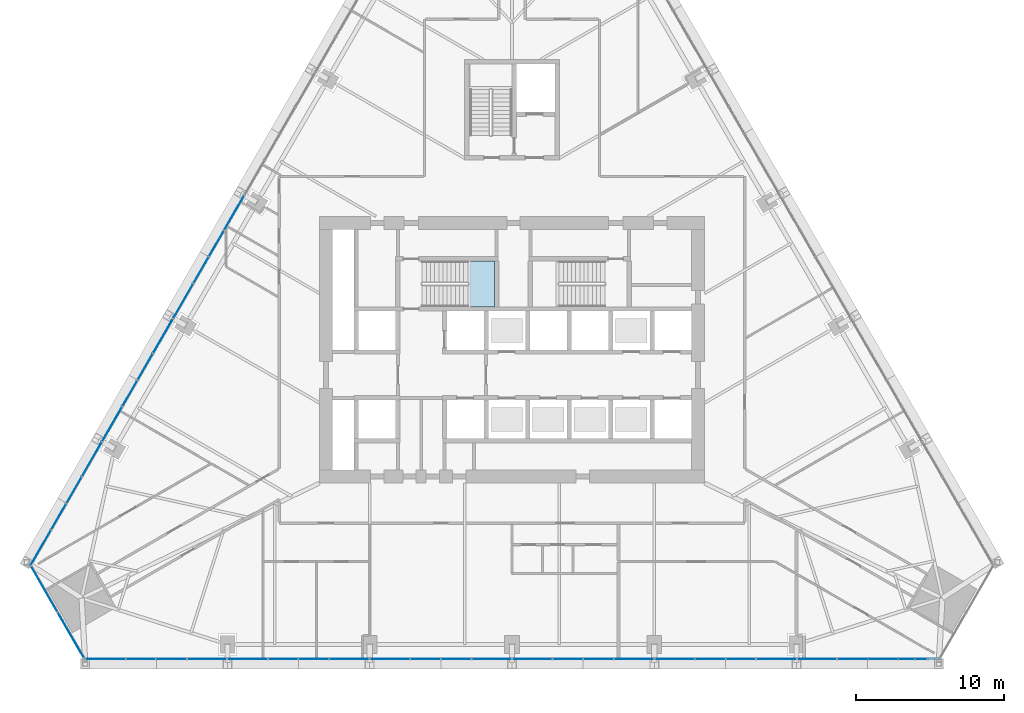
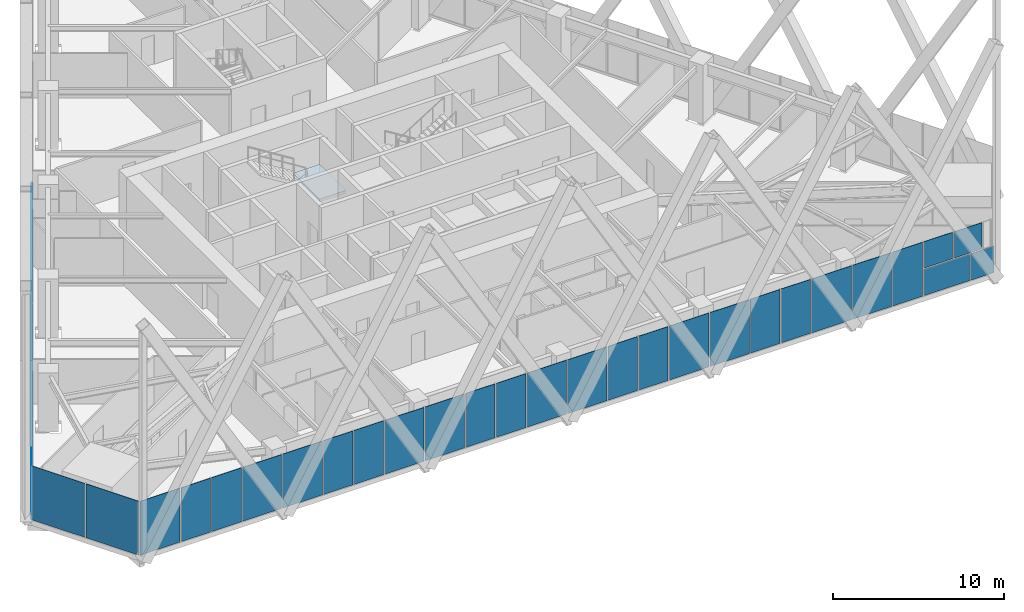
# One storey, part 14 of 26: 40 plates, 1 slab, 4 elements without a shape of their own.
"""IFC4 building model written with IfcOpenShell, lengths in metres."""

from ifc_helpers import new_model, si_unit, direction, frame, origin, place, context, subcontext, project, spatial, polyline, outline, extrude, material, layer, layer_set, type_object, element, aggregate, save


model = new_model("IFC4")

# Units and contexts
model_context = context("Model", 3, precision=1e-05, world=origin(), true_north=direction((0.0, 1.0)))
body_context = subcontext(model_context, "Body", "Model", "MODEL_VIEW")
ifc_project = project(units=[si_unit("LENGTHUNIT", "METRE"), si_unit("AREAUNIT", "SQUARE_METRE"), si_unit("VOLUMEUNIT", "CUBIC_METRE"), si_unit("PLANEANGLEUNIT", "RADIAN"), si_unit("MASSUNIT", "GRAM", prefix="KILO")], contexts=[model_context])

# Site, building, storey
site_placement = place(None, origin())
site = spatial("IfcSite", under=ifc_project, at=site_placement, CompositionType="ELEMENT")
building_placement = place(site_placement, origin())
building = spatial("IfcBuilding", under=site, at=building_placement, Name="Firuza Gate Tower and Library", CompositionType="ELEMENT")
storey_placement = place(building_placement, frame((0.0, 0.0, 40.0)))
storey = spatial("IfcBuildingStorey", under=building, at=storey_placement, Name="L08", CompositionType="ELEMENT", Elevation=40.0)

# Curtain wall, plates
ifc_material_1 = material(Name="Aluminium 6063-T6", Category="aluminium")
ifc_layer_1 = layer(ifc_material_1, 0.14990234375)
ifc_layer_set_1 = layer_set([ifc_layer_1], Name="Corner curtain wall, chamfers")
curtain_wall_type_1 = type_object("IfcCurtainWallType", Name="Corner curtain wall, chamfers", PredefinedType="NOTDEFINED", material=ifc_layer_set_1)
placement = place(storey_placement, origin())
curtain_wall_1 = element("IfcCurtainWall", 1, at=placement, inside=storey, type_object=curtain_wall_type_1, Name="CW4 L08 SW corner", PredefinedType="NOTDEFINED")
ifc_material_2 = material(Name="Fritted glass", Category="glass")
ifc_layer_2 = layer(ifc_material_2, 0.030029296875)
ifc_layer_set_2 = layer_set([ifc_layer_2], Name="Fritted glass unit, corners")
plate_type_1 = type_object("IfcPlateType", Name="Fritted glass unit, corners", PredefinedType="CURTAIN_PANEL", material=ifc_layer_set_2)
plate_1_placement = place(storey_placement, frame((42.5205078125, 60.40869140625, 0.14990234375), z_axis=(-0.866046390552, -0.49996364809, 0.0), x_axis=(0.49996364809, -0.866046390552, 0.0)))
plate_1 = element("IfcPlate", 2, at=plate_1_placement, type_object=plate_type_1, Name="Glass unit", PredefinedType="CURTAIN_PANEL", context=body_context, shape_type="SweptSolid", body=[
    extrude(outline(polyline([(0.0, 0.0), (3.563247342942594, 0.0), (3.563247342942594, 3.85009765625), (0.0, 3.85009765625), (0.0, 0.0)])), origin(), (0.0, 0.0, -1.0), 0.030029296875),
])
plate_2_placement = place(storey_placement, frame((44.342041015625, 57.25341796875, 0.14990234375), z_axis=(-0.866016723041, -0.500015035186, 0.0), x_axis=(0.500015035186, -0.866016723041, 0.0)))
plate_2 = element("IfcPlate", 3, at=plate_2_placement, type_object=plate_type_1, Name="Glass unit", PredefinedType="CURTAIN_PANEL", context=body_context, shape_type="SweptSolid", body=[
    extrude(outline(polyline([(0.0, 0.0), (3.5633694106530625, 0.0), (3.5633694106530625, 3.85009765625), (0.0, 3.85009765625), (0.0, 0.0)])), origin(), (0.0, 0.0, -1.0), 0.030029296875),
])
aggregate(curtain_wall_1, [plate_1, plate_2])

ifc_material_3 = material(Name="Aluminium 6063-T6", Category="aluminium")
ifc_layer_3 = layer(ifc_material_3, 0.14990234375)
ifc_layer_set_3 = layer_set([ifc_layer_3], Name="Unitised curtain wall, offices")
curtain_wall_type_2 = type_object("IfcCurtainWallType", Name="Unitised curtain wall, offices", PredefinedType="NOTDEFINED", material=ifc_layer_set_3)
curtain_wall_2 = element("IfcCurtainWall", 4, at=placement, inside=storey, type_object=curtain_wall_type_2, Name="CW1 L08 S face", PredefinedType="NOTDEFINED")
ifc_material_4 = material(Name="Fritted glass", Category="glass")
ifc_layer_4 = layer(ifc_material_4, 0.030029296875)
ifc_layer_set_4 = layer_set([ifc_layer_4], Name="Fritted glass unit, offices")
plate_type_2 = type_object("IfcPlateType", Name="Fritted glass unit, offices", PredefinedType="CURTAIN_PANEL", material=ifc_layer_set_4)
plate_3_placement = place(storey_placement, frame((48.973876953125, 54.12548828125, 0.14990234375), z_axis=(0.0, -1.0, 0.0), x_axis=(1.0, 0.0, 0.0)))
plate_3 = element("IfcPlate", 5, at=plate_3_placement, type_object=plate_type_2, Name="Glass unit", PredefinedType="CURTAIN_PANEL", context=body_context, shape_type="SweptSolid", body=[
    extrude(outline(polyline([(0.0, 0.0), (1.949951171875, 0.0), (1.949951171875, 3.85009765625), (0.0, 3.85009765625), (0.0, 0.0)])), origin(), (0.0, 0.0, -1.0), 0.030029296875),
])
plate_4_placement = place(storey_placement, frame((51.00390625, 54.12548828125, 0.14990234375), z_axis=(0.0, -1.0, 0.0), x_axis=(1.0, 0.0, 0.0)))
plate_4 = element("IfcPlate", 6, at=plate_4_placement, type_object=plate_type_2, Name="Glass unit", PredefinedType="CURTAIN_PANEL", context=body_context, shape_type="SweptSolid", body=[
    extrude(outline(polyline([(0.0, 0.0), (2.022216796875, 0.0), (2.022216796875, 3.85009765625), (0.0, 3.85009765625), (0.0, 0.0)])), origin(), (0.0, 0.0, -1.0), 0.030029296875),
])
plate_5_placement = place(storey_placement, frame((58.57373046875, 54.12548828125, 0.14990234375), z_axis=(0.0, -1.0, 0.0), x_axis=(1.0, 0.0, 0.0)))
plate_5 = element("IfcPlate", 7, at=plate_5_placement, type_object=plate_type_2, Name="Glass unit", PredefinedType="CURTAIN_PANEL", context=body_context, shape_type="SweptSolid", body=[
    extrude(outline(polyline([(0.0, 0.0), (1.964599609375, 0.0), (1.964599609375, 3.85009765625), (0.0, 3.85009765625), (0.0, 0.0)])), origin(), (0.0, 0.0, -1.0), 0.030029296875),
])
plate_6_placement = place(storey_placement, frame((60.618408203125, 54.12548828125, 0.14990234375), z_axis=(0.0, -1.0, 0.0), x_axis=(1.0, 0.0, 0.0)))
plate_6 = element("IfcPlate", 8, at=plate_6_placement, type_object=plate_type_2, Name="Glass unit", PredefinedType="CURTAIN_PANEL", context=body_context, shape_type="SweptSolid", body=[
    extrude(outline(polyline([(0.0, 0.0), (2.0078125, 0.0), (2.0078125, 3.85009765625), (0.0, 3.85009765625), (0.0, 0.0)])), origin(), (0.0, 0.0, -1.0), 0.030029296875),
])
plate_7_placement = place(storey_placement, frame((68.173828125, 54.12548828125, 0.14990234375), z_axis=(0.0, -1.0, 0.0), x_axis=(1.0, 0.0, 0.0)))
plate_7 = element("IfcPlate", 9, at=plate_7_placement, type_object=plate_type_2, Name="Glass unit", PredefinedType="CURTAIN_PANEL", context=body_context, shape_type="SweptSolid", body=[
    extrude(outline(polyline([(0.0, 0.0), (1.97900390625, 0.0), (1.97900390625, 3.85009765625), (0.0, 3.85009765625), (0.0, 0.0)])), origin(), (0.0, 0.0, -1.0), 0.030029296875),
])
plate_8_placement = place(storey_placement, frame((70.232666015625, 54.12548828125, 0.14990234375), z_axis=(0.0, -1.0, 0.0), x_axis=(1.0, 0.0, 0.0)))
plate_8 = element("IfcPlate", 10, at=plate_8_placement, type_object=plate_type_2, Name="Glass unit", PredefinedType="CURTAIN_PANEL", context=body_context, shape_type="SweptSolid", body=[
    extrude(outline(polyline([(0.0, 0.0), (1.993408203125, 0.0), (1.993408203125, 3.85009765625), (0.0, 3.85009765625), (0.0, 0.0)])), origin(), (0.0, 0.0, -1.0), 0.030029296875),
])
plate_9_placement = place(storey_placement, frame((77.77392578125, 54.12548828125, 0.14990234375), z_axis=(0.0, -1.0, 0.0), x_axis=(1.0, 0.0, 0.0)))
plate_9 = element("IfcPlate", 11, at=plate_9_placement, type_object=plate_type_2, Name="Glass unit", PredefinedType="CURTAIN_PANEL", context=body_context, shape_type="SweptSolid", body=[
    extrude(outline(polyline([(0.0, 0.0), (1.993408203125, 0.0), (1.993408203125, 3.85009765625), (0.0, 3.85009765625), (0.0, 0.0)])), origin(), (0.0, 0.0, -1.0), 0.030029296875),
])
plate_10_placement = place(storey_placement, frame((79.84716796875, 54.12548828125, 0.14990234375), z_axis=(0.0, -1.0, 0.0), x_axis=(1.0, 0.0, 0.0)))
plate_10 = element("IfcPlate", 12, at=plate_10_placement, type_object=plate_type_2, Name="Glass unit", PredefinedType="CURTAIN_PANEL", context=body_context, shape_type="SweptSolid", body=[
    extrude(outline(polyline([(0.0, 0.0), (1.97900390625, 0.0), (1.97900390625, 3.85009765625), (0.0, 3.85009765625), (0.0, 0.0)])), origin(), (0.0, 0.0, -1.0), 0.030029296875),
])
plate_11_placement = place(storey_placement, frame((87.373779296875, 54.12548828125, 0.14990234375), z_axis=(0.0, -1.0, 0.0), x_axis=(1.0, 0.0, 0.0)))
plate_11 = element("IfcPlate", 13, at=plate_11_placement, type_object=plate_type_2, Name="Glass unit", PredefinedType="CURTAIN_PANEL", context=body_context, shape_type="SweptSolid", body=[
    extrude(outline(polyline([(0.0, 0.0), (2.0078125, 0.0), (2.0078125, 3.85009765625), (0.0, 3.85009765625), (0.0, 0.0)])), origin(), (0.0, 0.0, -1.0), 0.030029296875),
])
plate_12_placement = place(storey_placement, frame((89.461669921875, 54.12548828125, 0.14990234375), z_axis=(0.0, -1.0, 0.0), x_axis=(1.0, 0.0, 0.0)))
plate_12 = element("IfcPlate", 14, at=plate_12_placement, type_object=plate_type_2, Name="Glass unit", PredefinedType="CURTAIN_PANEL", context=body_context, shape_type="SweptSolid", body=[
    extrude(outline(polyline([(0.0, 0.0), (1.964599609375, 0.0), (1.964599609375, 3.85009765625), (0.0, 3.85009765625), (0.0, 0.0)])), origin(), (0.0, 0.0, -1.0), 0.030029296875),
])
plate_13_placement = place(storey_placement, frame((96.973876953125, 54.12548828125, 0.14990234375), z_axis=(0.0, -1.0, 0.0), x_axis=(1.0, 0.0, 0.0)))
plate_13 = element("IfcPlate", 15, at=plate_13_placement, type_object=plate_type_2, Name="Glass unit", PredefinedType="CURTAIN_PANEL", context=body_context, shape_type="SweptSolid", body=[
    extrude(outline(polyline([(0.0, 0.0), (2.022216796875, 0.0), (2.022216796875, 3.85009765625), (0.0, 3.85009765625), (0.0, 0.0)])), origin(), (0.0, 0.0, -1.0), 0.030029296875),
])
plate_14_placement = place(storey_placement, frame((99.076171875, 54.12548828125, 0.14990234375), z_axis=(0.0, -1.0, 0.0), x_axis=(1.0, 0.0, 0.0)))
plate_14 = element("IfcPlate", 16, at=plate_14_placement, type_object=plate_type_2, Name="Glass unit", PredefinedType="CURTAIN_PANEL", context=body_context, shape_type="SweptSolid", body=[
    extrude(outline(polyline([(0.0, 0.0), (3.07275390625, 0.0), (3.07275390625, 1.885009765625), (0.0, 1.885009765625), (0.0, 0.0)])), origin(), (0.0, 0.0, -1.0), 0.030029296875),
])
plate_15_placement = place(storey_placement, frame((99.076171875, 54.12548828125, 2.114990234375), z_axis=(0.0, -1.0, 0.0), x_axis=(1.0, 0.0, 0.0)))
plate_15 = element("IfcPlate", 17, at=plate_15_placement, type_object=plate_type_2, Name="Glass unit", PredefinedType="CURTAIN_PANEL", context=body_context, shape_type="SweptSolid", body=[
    extrude(outline(polyline([(0.0, 0.0), (1.949951171875, 0.0), (1.949951171875, 1.885009765625), (0.0, 1.885009765625), (0.0, 0.0)])), origin(), (0.0, 0.0, -1.0), 0.030029296875),
])

curtain_wall_3 = element("IfcCurtainWall", 18, at=placement, inside=storey, type_object=curtain_wall_type_2, Name="CW1 L08 W face", PredefinedType="NOTDEFINED")
plate_16_placement = place(storey_placement, frame((55.53515625, 83.03515625, 0.14990234375), z_axis=(-0.865995903571, 0.500051092388, 0.0), x_axis=(-0.500051092388, -0.865995903571, 0.0)))
plate_16 = element("IfcPlate", 19, at=plate_16_placement, type_object=plate_type_2, Name="Glass unit", PredefinedType="CURTAIN_PANEL", context=body_context, shape_type="SweptSolid", body=[
    extrude(outline(polyline([(0.0, 0.0), (1.9934486436450174, 0.0), (1.9934486436450174, 3.85009765625), (0.0, 3.85009765625), (0.0, 0.0)])), origin(), (0.0, 0.0, -1.0), 0.030029296875),
])
plate_17_placement = place(storey_placement, frame((54.49853515625, 81.239501953125, 0.14990234375), z_axis=(-0.866025344474, 0.500000102728, 0.0), x_axis=(-0.500000102728, -0.866025344474, 0.0)))
plate_17 = element("IfcPlate", 20, at=plate_17_placement, type_object=plate_type_2, Name="Glass unit", PredefinedType="CURTAIN_PANEL", context=body_context, shape_type="SweptSolid", body=[
    extrude(outline(polyline([(0.0, 0.0), (1.9790034996501018, 0.0), (1.9790034996501018, 3.85009765625), (0.0, 3.85009765625), (0.0, 0.0)])), origin(), (0.0, 0.0, -1.0), 0.030029296875),
])
plate_18_placement = place(storey_placement, frame((50.735107421875, 74.72119140625, 0.14990234375), z_axis=(-0.866019539041, 0.500010157896, 0.0), x_axis=(-0.500010157896, -0.866019539041, 0.0)))
plate_18 = element("IfcPlate", 21, at=plate_18_placement, type_object=plate_type_2, Name="Glass unit", PredefinedType="CURTAIN_PANEL", context=body_context, shape_type="SweptSolid", body=[
    extrude(outline(polyline([(0.0, 0.0), (2.0077717105269732, 0.0), (2.0077717105269732, 3.85009765625), (0.0, 3.85009765625), (0.0, 0.0)])), origin(), (0.0, 0.0, -1.0), 0.030029296875),
])
plate_19_placement = place(storey_placement, frame((49.691162109375, 72.9130859375, 0.14990234375), z_axis=(-0.86602414853, 0.500002174158, 0.0), x_axis=(-0.500002174158, -0.86602414853, 0.0)))
plate_19 = element("IfcPlate", 22, at=plate_19_placement, type_object=plate_type_2, Name="Glass unit", PredefinedType="CURTAIN_PANEL", context=body_context, shape_type="SweptSolid", body=[
    extrude(outline(polyline([(0.0, 0.0), (1.9643469271472958, 0.0), (1.9643469271472958, 3.85009765625), (0.0, 3.85009765625), (0.0, 0.0)])), origin(), (0.0, 0.0, -1.0), 0.030029296875),
])
plate_20_placement = place(storey_placement, frame((45.93505859375, 66.407470703125, 0.14990234375), z_axis=(-0.866073013527, 0.499917528438, 0.0), x_axis=(-0.499917528438, -0.866073013527, 0.0)))
plate_20 = element("IfcPlate", 23, at=plate_20_placement, type_object=plate_type_2, Name="Glass unit", PredefinedType="CURTAIN_PANEL", context=body_context, shape_type="SweptSolid", body=[
    extrude(outline(polyline([(0.0, 0.0), (2.022306221754728, 0.0), (2.022306221754728, 3.8500976562499996), (0.0, 3.8500976562499996), (0.0, 0.0)])), origin(), (0.0, 0.0, -1.0), 0.030029296875),
])
plate_21_placement = place(storey_placement, frame((44.884033203125, 64.5869140625, 0.14990234375), z_axis=(-0.866031321059, 0.49998975084, 0.0), x_axis=(-0.49998975084, -0.866031321059, 0.0)))
plate_21 = element("IfcPlate", 24, at=plate_21_placement, type_object=plate_type_2, Name="Glass unit", PredefinedType="CURTAIN_PANEL", context=body_context, shape_type="SweptSolid", body=[
    extrude(outline(polyline([(0.0, 0.0), (1.9502352890478898, 0.0), (1.9502352890478898, 3.85009765625), (0.0, 3.85009765625), (0.0, 0.0)])), origin(), (0.0, 0.0, -1.0), 0.030029296875),
])

# Plate
ifc_material_5 = material(Name="Glazed ceramic tile")
ifc_layer_5 = layer(ifc_material_5, 0.030029296875)
ifc_layer_set_5 = layer_set([ifc_layer_5], Name="Opaque ceramic panel, offices")
plate_type_3 = type_object("IfcPlateType", Name="Opaque ceramic panel, offices", PredefinedType="CURTAIN_PANEL", material=ifc_layer_set_5)
plate_22_placement = place(storey_placement, frame((46.19677734375, 54.12548828125, 0.14990234375), z_axis=(0.0, -1.0, 0.0), x_axis=(1.0, 0.0, 0.0)))
plate_22 = element("IfcPlate", 25, at=plate_22_placement, type_object=plate_type_3, Name="Opaque ceramic panel", PredefinedType="CURTAIN_PANEL", context=body_context, shape_type="SweptSolid", body=[
    extrude(outline(polyline([(0.0, 0.0), (2.697021484375, 0.0), (2.697021484375, 3.85009765625), (0.0, 3.85009765625), (0.0, 0.0)])), origin(), (0.0, 0.0, -1.0), 0.030029296875),
])

plate_23_placement = place(storey_placement, frame((53.106201171875, 54.12548828125, 0.14990234375), z_axis=(0.0, -1.0, 0.0), x_axis=(1.0, 0.0, 0.0)))
plate_23 = element("IfcPlate", 26, at=plate_23_placement, type_object=plate_type_3, Name="Opaque ceramic panel", PredefinedType="CURTAIN_PANEL", context=body_context, shape_type="SweptSolid", body=[
    extrude(outline(polyline([(0.0, 0.0), (2.625, 0.0), (2.625, 3.85009765625), (0.0, 3.85009765625), (0.0, 0.0)])), origin(), (0.0, 0.0, -1.0), 0.030029296875),
])

plate_24_placement = place(storey_placement, frame((55.81103515625, 54.12548828125, 0.14990234375), z_axis=(0.0, -1.0, 0.0), x_axis=(1.0, 0.0, 0.0)))
plate_24 = element("IfcPlate", 27, at=plate_24_placement, type_object=plate_type_3, Name="Opaque ceramic panel", PredefinedType="CURTAIN_PANEL", context=body_context, shape_type="SweptSolid", body=[
    extrude(outline(polyline([(0.0, 0.0), (2.682861328125, 0.0), (2.682861328125, 3.85009765625), (0.0, 3.85009765625), (0.0, 0.0)])), origin(), (0.0, 0.0, -1.0), 0.030029296875),
])

plate_25_placement = place(storey_placement, frame((62.7060546875, 54.12548828125, 0.14990234375), z_axis=(0.0, -1.0, 0.0), x_axis=(1.0, 0.0, 0.0)))
plate_25 = element("IfcPlate", 28, at=plate_25_placement, type_object=plate_type_3, Name="Opaque ceramic panel", PredefinedType="CURTAIN_PANEL", context=body_context, shape_type="SweptSolid", body=[
    extrude(outline(polyline([(0.0, 0.0), (2.639404296875, 0.0), (2.639404296875, 3.85009765625), (0.0, 3.85009765625), (0.0, 0.0)])), origin(), (0.0, 0.0, -1.0), 0.030029296875),
])

plate_26_placement = place(storey_placement, frame((65.425537109375, 54.12548828125, 0.14990234375), z_axis=(0.0, -1.0, 0.0), x_axis=(1.0, 0.0, 0.0)))
plate_26 = element("IfcPlate", 29, at=plate_26_placement, type_object=plate_type_3, Name="Opaque ceramic panel", PredefinedType="CURTAIN_PANEL", context=body_context, shape_type="SweptSolid", body=[
    extrude(outline(polyline([(0.0, 0.0), (2.668212890625, 0.0), (2.668212890625, 3.85009765625), (0.0, 3.85009765625), (0.0, 0.0)])), origin(), (0.0, 0.0, -1.0), 0.030029296875),
])

plate_27_placement = place(storey_placement, frame((72.30615234375, 54.12548828125, 0.14990234375), z_axis=(0.0, -1.0, 0.0), x_axis=(1.0, 0.0, 0.0)))
plate_27 = element("IfcPlate", 30, at=plate_27_placement, type_object=plate_type_3, Name="Opaque ceramic panel", PredefinedType="CURTAIN_PANEL", context=body_context, shape_type="SweptSolid", body=[
    extrude(outline(polyline([(0.0, 0.0), (2.65380859375, 0.0), (2.65380859375, 3.85009765625), (0.0, 3.85009765625), (0.0, 0.0)])), origin(), (0.0, 0.0, -1.0), 0.030029296875),
])

plate_28_placement = place(storey_placement, frame((75.0400390625, 54.12548828125, 0.14990234375), z_axis=(0.0, -1.0, 0.0), x_axis=(1.0, 0.0, 0.0)))
plate_28 = element("IfcPlate", 31, at=plate_28_placement, type_object=plate_type_3, Name="Opaque ceramic panel", PredefinedType="CURTAIN_PANEL", context=body_context, shape_type="SweptSolid", body=[
    extrude(outline(polyline([(0.0, 0.0), (2.65380859375, 0.0), (2.65380859375, 3.85009765625), (0.0, 3.85009765625), (0.0, 0.0)])), origin(), (0.0, 0.0, -1.0), 0.030029296875),
])

plate_29_placement = place(storey_placement, frame((81.90625, 54.12548828125, 0.14990234375), z_axis=(0.0, -1.0, 0.0), x_axis=(1.0, 0.0, 0.0)))
plate_29 = element("IfcPlate", 32, at=plate_29_placement, type_object=plate_type_3, Name="Opaque ceramic panel", PredefinedType="CURTAIN_PANEL", context=body_context, shape_type="SweptSolid", body=[
    extrude(outline(polyline([(0.0, 0.0), (2.668212890625, 0.0), (2.668212890625, 3.85009765625), (0.0, 3.85009765625), (0.0, 0.0)])), origin(), (0.0, 0.0, -1.0), 0.030029296875),
])

plate_30_placement = place(storey_placement, frame((84.654541015625, 54.12548828125, 0.14990234375), z_axis=(0.0, -1.0, 0.0), x_axis=(1.0, 0.0, 0.0)))
plate_30 = element("IfcPlate", 33, at=plate_30_placement, type_object=plate_type_3, Name="Opaque ceramic panel", PredefinedType="CURTAIN_PANEL", context=body_context, shape_type="SweptSolid", body=[
    extrude(outline(polyline([(0.0, 0.0), (2.639404296875, 0.0), (2.639404296875, 3.85009765625), (0.0, 3.85009765625), (0.0, 0.0)])), origin(), (0.0, 0.0, -1.0), 0.030029296875),
])

plate_31_placement = place(storey_placement, frame((91.506103515625, 54.12548828125, 0.14990234375), z_axis=(0.0, -1.0, 0.0), x_axis=(1.0, 0.0, 0.0)))
plate_31 = element("IfcPlate", 34, at=plate_31_placement, type_object=plate_type_3, Name="Opaque ceramic panel", PredefinedType="CURTAIN_PANEL", context=body_context, shape_type="SweptSolid", body=[
    extrude(outline(polyline([(0.0, 0.0), (2.682861328125, 0.0), (2.682861328125, 3.85009765625), (0.0, 3.85009765625), (0.0, 0.0)])), origin(), (0.0, 0.0, -1.0), 0.030029296875),
])

plate_32_placement = place(storey_placement, frame((94.268798828125, 54.12548828125, 0.14990234375), z_axis=(0.0, -1.0, 0.0), x_axis=(1.0, 0.0, 0.0)))
plate_32 = element("IfcPlate", 35, at=plate_32_placement, type_object=plate_type_3, Name="Opaque ceramic panel", PredefinedType="CURTAIN_PANEL", context=body_context, shape_type="SweptSolid", body=[
    extrude(outline(polyline([(0.0, 0.0), (2.625, 0.0), (2.625, 3.85009765625), (0.0, 3.85009765625), (0.0, 0.0)])), origin(), (0.0, 0.0, -1.0), 0.030029296875),
])

plate_33_placement = place(storey_placement, frame((102.22900390625, 54.12548828125, 0.14990234375), z_axis=(0.0, -1.0, 0.0), x_axis=(1.0, 0.0, 0.0)))
plate_33 = element("IfcPlate", 36, at=plate_33_placement, type_object=plate_type_3, Name="Opaque ceramic panel", PredefinedType="CURTAIN_PANEL", context=body_context, shape_type="SweptSolid", body=[
    extrude(outline(polyline([(0.0, 0.0), (1.57421875, 0.0), (1.57421875, 1.885009765625), (0.0, 1.885009765625), (0.0, 0.0)])), origin(), (0.0, 0.0, -1.0), 0.030029296875),
])

plate_34_placement = place(storey_placement, frame((101.106201171875, 54.12548828125, 2.114990234375), z_axis=(0.0, -1.0, 0.0), x_axis=(1.0, 0.0, 0.0)))
plate_34 = element("IfcPlate", 37, at=plate_34_placement, type_object=plate_type_3, Name="Opaque ceramic panel", PredefinedType="CURTAIN_PANEL", context=body_context, shape_type="SweptSolid", body=[
    extrude(outline(polyline([(0.0, 0.0), (1.893310546875, 0.0), (1.893310546875, 1.885009765625), (0.0, 1.885009765625), (0.0, 0.0)])), origin(), (0.0, 0.0, -1.0), 0.030029296875),
])

aggregate(curtain_wall_2, [plate_22, plate_3, plate_4, plate_23, plate_24, plate_5, plate_6, plate_25, plate_26, plate_7, plate_8, plate_27, plate_28, plate_9, plate_10, plate_29, plate_30, plate_11, plate_12, plate_31, plate_32, plate_13, plate_14, plate_33, plate_15, plate_34])

plate_35_placement = place(storey_placement, frame((56.902099609375, 85.402587890625, 0.14990234375), z_axis=(-0.866009391893, 0.500027732385, 0.0), x_axis=(-0.500027732385, -0.866009391893, 0.0)))
plate_35 = element("IfcPlate", 38, at=plate_35_placement, type_object=plate_type_3, Name="Opaque ceramic panel", PredefinedType="CURTAIN_PANEL", context=body_context, shape_type="SweptSolid", body=[
    extrude(outline(polyline([(0.0, 0.0), (2.653661409032231, 0.0), (2.653661409032231, 3.85009765625), (0.0, 3.85009765625), (0.0, 0.0)])), origin(), (0.0, 0.0, -1.0), 0.030029296875),
])

plate_36_placement = place(storey_placement, frame((53.468994140625, 79.456298828125, 0.14990234375), z_axis=(-0.866010359988, 0.500026055714, 0.0), x_axis=(-0.500026055714, -0.866010359988, 0.0)))
plate_36 = element("IfcPlate", 39, at=plate_36_placement, type_object=plate_type_3, Name="Opaque ceramic panel", PredefinedType="CURTAIN_PANEL", context=body_context, shape_type="SweptSolid", body=[
    extrude(outline(polyline([(0.0, 0.0), (2.668317981388296, 0.0), (2.668317981388296, 3.85009765625), (0.0, 3.85009765625), (0.0, 0.0)])), origin(), (0.0, 0.0, -1.0), 0.030029296875),
])

plate_37_placement = place(storey_placement, frame((52.0947265625, 77.076416015625, 0.14990234375), z_axis=(-0.86605466356, 0.499949317157, 0.0), x_axis=(-0.499949317157, -0.86605466356, 0.0)))
plate_37 = element("IfcPlate", 40, at=plate_37_placement, type_object=plate_type_3, Name="Opaque ceramic panel", PredefinedType="CURTAIN_PANEL", context=body_context, shape_type="SweptSolid", body=[
    extrude(outline(polyline([(0.0, 0.0), (2.639427703649189, 0.0), (2.639427703649189, 3.850097656250001), (0.0, 3.850097656250001), (0.0, 0.0)])), origin(), (0.0, 0.0, -1.0), 0.030029296875),
])

plate_38_placement = place(storey_placement, frame((48.6689453125, 71.142578125, 0.14990234375), z_axis=(-0.866027971625, 0.499995552344, 0.0), x_axis=(-0.499995552344, -0.866027971625, 0.0)))
plate_38 = element("IfcPlate", 41, at=plate_38_placement, type_object=plate_type_3, Name="Opaque ceramic panel", PredefinedType="CURTAIN_PANEL", context=body_context, shape_type="SweptSolid", body=[
    extrude(outline(polyline([(0.0, 0.0), (2.6826410504291083, 0.0), (2.6826410504291083, 3.85009765625), (0.0, 3.85009765625), (0.0, 0.0)])), origin(), (0.0, 0.0, -1.0), 0.030029296875),
])

plate_39_placement = place(storey_placement, frame((47.28759765625, 68.75, 0.14990234375), z_axis=(-0.866013657776, 0.500020344131, 0.0), x_axis=(-0.500020344131, -0.866013657776, 0.0)))
plate_39 = element("IfcPlate", 42, at=plate_39_placement, type_object=plate_type_3, Name="Opaque ceramic panel", PredefinedType="CURTAIN_PANEL", context=body_context, shape_type="SweptSolid", body=[
    extrude(outline(polyline([(0.0, 0.0), (2.6248931976571157, 0.0), (2.6248931976571157, 3.85009765625), (0.0, 3.85009765625), (0.0, 0.0)])), origin(), (0.0, 0.0, -1.0), 0.030029296875),
])

plate_40_placement = place(storey_placement, frame((43.868896484375, 62.82861328125, 0.14990234375), z_axis=(-0.866045395139, 0.499965372359, 0.0), x_axis=(-0.499965372359, -0.866045395139, 0.0)))
plate_40 = element("IfcPlate", 43, at=plate_40_placement, type_object=plate_type_3, Name="Opaque ceramic panel", PredefinedType="CURTAIN_PANEL", context=body_context, shape_type="SweptSolid", body=[
    extrude(outline(polyline([(0.0, 0.0), (2.6969641227627226, 0.0), (2.6969641227627226, 3.85009765625), (0.0, 3.85009765625), (0.0, 0.0)])), origin(), (0.0, 0.0, -1.0), 0.030029296875),
])

aggregate(curtain_wall_3, [plate_35, plate_16, plate_17, plate_36, plate_37, plate_18, plate_19, plate_38, plate_39, plate_20, plate_21, plate_40])

# Stair, slab
ifc_material_6 = material(Name="Concrete C35/45", Category="concrete")
stair_type = type_object("IfcStairType", Name="Exit stair ST5", PredefinedType="HALF_TURN_STAIR", material=ifc_material_6)
stair = element("IfcStair", 44, at=placement, inside=storey, type_object=stair_type, Name="L08 Stair ST1", PredefinedType="HALF_TURN_STAIR")
ifc_material_7 = material(Name="Concrete C35/45", Category="concrete")
ifc_layer_6 = layer(ifc_material_7, 0.199951171875)
ifc_layer_set_6 = layer_set([ifc_layer_6], Name="Stair landing 200")
slab_type = type_object("IfcSlabType", Name="Stair landing 200", PredefinedType="LANDING", material=ifc_layer_set_6)
slab_placement = place(storey_placement, frame((0.0, 0.0, 1.89990234375)))
slab = element("IfcSlab", 45, at=slab_placement, type_object=slab_type, Name="ST1 landing 1", PredefinedType="LANDING", context=body_context, shape_type="SweptSolid", body=[
    extrude(outline(polyline([(72.02001953125, 77.89990234375), (73.81005859375, 77.89990234375), (73.81005859375, 80.97998046875), (72.02001953125, 80.97998046875), (72.02001953125, 77.89990234375)])), origin(), (0.0, 0.0, 1.0), 0.2001953125),
])
aggregate(stair, [slab])

save(model, "model.ifc")
